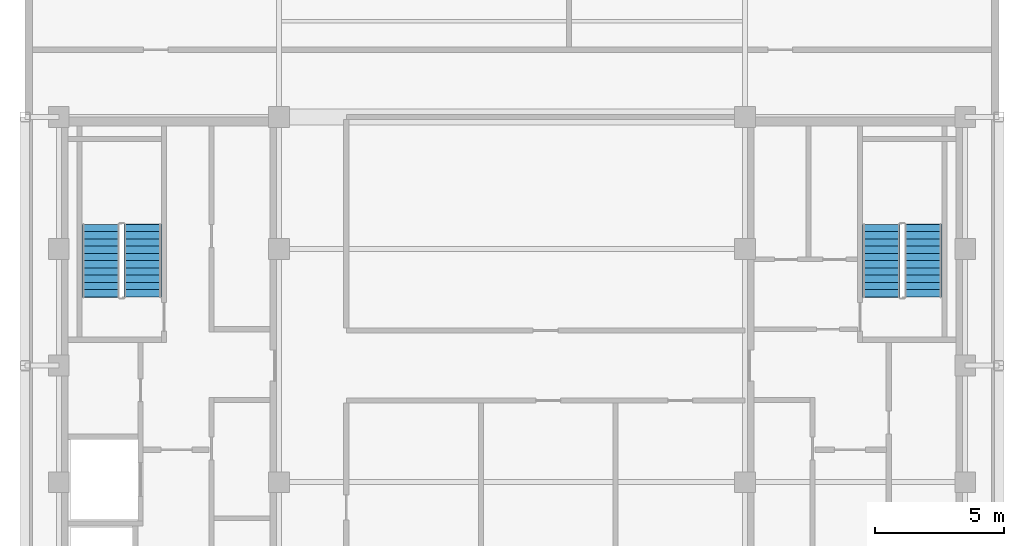
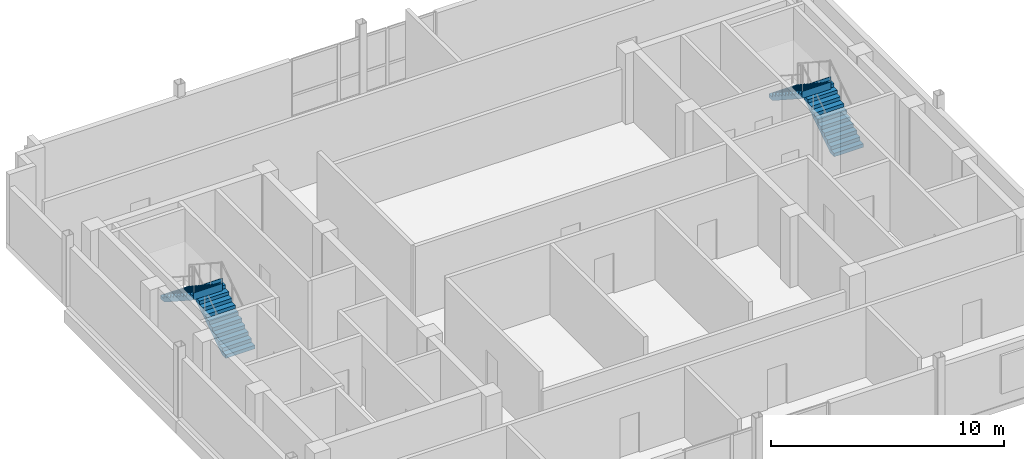
# One storey, part 4 of 10: 4 stair flights, 2 elements without a shape of their own.
"""IFC4 building model written with IfcOpenShell, lengths in metres."""

from ifc_helpers import new_model, si_unit, direction, frame, origin, place, context, subcontext, project, spatial, polyline, outline, extrude, material, type_object, element, aggregate, save


model = new_model("IFC4")

# Units and contexts
model_context = context("Model", 3, precision=1e-05, world=origin(), true_north=direction((0.0, 1.0)))
body_context = subcontext(model_context, "Body", "Model", "MODEL_VIEW")
ifc_project = project(units=[si_unit("LENGTHUNIT", "METRE"), si_unit("AREAUNIT", "SQUARE_METRE"), si_unit("VOLUMEUNIT", "CUBIC_METRE"), si_unit("PLANEANGLEUNIT", "RADIAN"), si_unit("MASSUNIT", "GRAM", prefix="KILO")], contexts=[model_context])

# Site, building, storey
site_placement = place(None, origin())
site = spatial("IfcSite", under=ifc_project, at=site_placement, CompositionType="ELEMENT")
building_placement = place(site_placement, origin())
building = spatial("IfcBuilding", under=site, at=building_placement, Name="Nuvemarco Arch Tower", CompositionType="ELEMENT")
storey_placement = place(building_placement, frame((0.0, 0.0, 303.14990234375)))
storey = spatial("IfcBuildingStorey", under=building, at=storey_placement, Name="L80", CompositionType="ELEMENT", Elevation=303.14990234375)

# Stair, stair flights
ifc_material = material(Name="Precast concrete C45/55", Category="concrete")
stair_type = type_object("IfcStairType", Name="ST-CORE-22R", PredefinedType="HALF_TURN_STAIR", material=ifc_material)
stair_1_placement = place(storey_placement, origin())
stair_1 = element("IfcStair", 1, at=stair_1_placement, inside=storey, type_object=stair_type, Name="L80 Protected Exit Stair ST-1", PredefinedType="HALF_TURN_STAIR")
stair_flight_type = type_object("IfcStairFlightType", Name="SF-CORE-22R", PredefinedType="STRAIGHT", material=ifc_material)
stair_flight_1_placement = place(storey_placement, frame((-14.264892578125, 2.64990234375, 0.0), z_axis=(0.0, 0.0, 1.0), x_axis=(0.0, 1.0, 0.0)))
stair_flight_1 = element("IfcStairFlight", 2, at=stair_flight_1_placement, type_object=stair_flight_type, Name="ST-22R flight 1", NumberOfRisers=11, NumberOfTreads=10, PredefinedType="STRAIGHT", RiserHeight=0.181818182, TreadLength=0.28, context=body_context, shape_type="SweptSolid", body=[
    extrude(outline(polyline([(0.0, 0.0), (0.0, 0.181884765625), (0.280029296875, 0.181884765625), (0.280029296875, 0.363525390625), (0.56005859375, 0.363525390625), (0.56005859375, 0.54541015625), (0.840087890625, 0.54541015625), (0.840087890625, 0.727294921875), (1.1201171875, 0.727294921875), (1.1201171875, 0.9091796875), (1.39990234375, 0.9091796875), (1.39990234375, 1.0908203125), (1.679931640625, 1.0908203125), (1.679931640625, 1.272705078125), (1.9599609375, 1.272705078125), (1.9599609375, 1.45458984375), (2.239990234375, 1.45458984375), (2.239990234375, 1.636474609375), (2.52001953125, 1.636474609375), (2.52001953125, 1.818115234375), (2.800048828125, 1.818115234375), (2.800048828125, 2.0), (2.820068359375, 2.0), (2.820068359375, 1.62744140625), (0.313720703125, 0.0), (0.0, 0.0)])), frame((0.0, 0.72509765625, 0.0), z_axis=(0.0, -1.0, 0.0), x_axis=(1.0, 0.0, 0.0)), (0.0, 0.0, 1.0), 1.449951171875),
])
stair_flight_2_placement = place(storey_placement, frame((-15.875, 5.449951171875, 2.0), z_axis=(0.0, 0.0, 1.0), x_axis=(0.0, -1.0, 0.0)))
stair_flight_2 = element("IfcStairFlight", 3, at=stair_flight_2_placement, type_object=stair_flight_type, Name="ST-22R flight 2", NumberOfRisers=11, NumberOfTreads=10, PredefinedType="STRAIGHT", RiserHeight=0.181818182, TreadLength=0.28, context=body_context, shape_type="SweptSolid", body=[
    extrude(outline(polyline([(0.0, 0.0), (0.0, 0.181884765625), (0.280029296875, 0.181884765625), (0.280029296875, 0.363525390625), (0.56005859375, 0.363525390625), (0.56005859375, 0.54541015625), (0.840087890625, 0.54541015625), (0.840087890625, 0.727294921875), (1.1201171875, 0.727294921875), (1.1201171875, 0.9091796875), (1.39990234375, 0.9091796875), (1.39990234375, 1.0908203125), (1.679931640625, 1.0908203125), (1.679931640625, 1.272705078125), (1.9599609375, 1.272705078125), (1.9599609375, 1.45458984375), (2.239990234375, 1.45458984375), (2.239990234375, 1.636474609375), (2.52001953125, 1.636474609375), (2.52001953125, 1.818115234375), (2.800048828125, 1.818115234375), (2.800048828125, 2.0), (2.820068359375, 2.0), (2.820068359375, 1.62744140625), (0.313720703125, 0.0), (0.0, 0.0)])), frame((0.0, 0.72509765625, 0.0), z_axis=(0.0, -1.0, 0.0), x_axis=(1.0, 0.0, 0.0)), (0.0, 0.0, 1.0), 1.449951171875),
])
aggregate(stair_1, [stair_flight_1, stair_flight_2])

stair_2_placement = place(storey_placement, origin())
stair_2 = element("IfcStair", 4, at=stair_2_placement, inside=storey, type_object=stair_type, Name="L80 Protected Exit Stair ST-2", PredefinedType="HALF_TURN_STAIR")
stair_flight_3_placement = place(storey_placement, frame((15.875, 2.64990234375, 0.0), z_axis=(0.0, 0.0, 1.0), x_axis=(0.0, 1.0, 0.0)))
stair_flight_3 = element("IfcStairFlight", 5, at=stair_flight_3_placement, type_object=stair_flight_type, Name="ST-22R flight 1", NumberOfRisers=11, NumberOfTreads=10, PredefinedType="STRAIGHT", RiserHeight=0.181818182, TreadLength=0.28, context=body_context, shape_type="SweptSolid", body=[
    extrude(outline(polyline([(0.0, 0.0), (0.0, 0.181884765625), (0.280029296875, 0.181884765625), (0.280029296875, 0.363525390625), (0.56005859375, 0.363525390625), (0.56005859375, 0.54541015625), (0.840087890625, 0.54541015625), (0.840087890625, 0.727294921875), (1.1201171875, 0.727294921875), (1.1201171875, 0.9091796875), (1.39990234375, 0.9091796875), (1.39990234375, 1.0908203125), (1.679931640625, 1.0908203125), (1.679931640625, 1.272705078125), (1.9599609375, 1.272705078125), (1.9599609375, 1.45458984375), (2.239990234375, 1.45458984375), (2.239990234375, 1.636474609375), (2.52001953125, 1.636474609375), (2.52001953125, 1.818115234375), (2.800048828125, 1.818115234375), (2.800048828125, 2.0), (2.820068359375, 2.0), (2.820068359375, 1.62744140625), (0.313720703125, 0.0), (0.0, 0.0)])), frame((0.0, 0.72509765625, 0.0), z_axis=(0.0, -1.0, 0.0), x_axis=(1.0, 0.0, 0.0)), (0.0, 0.0, 1.0), 1.449951171875),
])
stair_flight_4_placement = place(storey_placement, frame((14.264892578125, 5.449951171875, 2.0), z_axis=(0.0, 0.0, 1.0), x_axis=(0.0, -1.0, 0.0)))
stair_flight_4 = element("IfcStairFlight", 6, at=stair_flight_4_placement, type_object=stair_flight_type, Name="ST-22R flight 2", NumberOfRisers=11, NumberOfTreads=10, PredefinedType="STRAIGHT", RiserHeight=0.181818182, TreadLength=0.28, context=body_context, shape_type="SweptSolid", body=[
    extrude(outline(polyline([(0.0, 0.0), (0.0, 0.181884765625), (0.280029296875, 0.181884765625), (0.280029296875, 0.363525390625), (0.56005859375, 0.363525390625), (0.56005859375, 0.54541015625), (0.840087890625, 0.54541015625), (0.840087890625, 0.727294921875), (1.1201171875, 0.727294921875), (1.1201171875, 0.9091796875), (1.39990234375, 0.9091796875), (1.39990234375, 1.0908203125), (1.679931640625, 1.0908203125), (1.679931640625, 1.272705078125), (1.9599609375, 1.272705078125), (1.9599609375, 1.45458984375), (2.239990234375, 1.45458984375), (2.239990234375, 1.636474609375), (2.52001953125, 1.636474609375), (2.52001953125, 1.818115234375), (2.800048828125, 1.818115234375), (2.800048828125, 2.0), (2.820068359375, 2.0), (2.820068359375, 1.62744140625), (0.313720703125, 0.0), (0.0, 0.0)])), frame((0.0, 0.72509765625, 0.0), z_axis=(0.0, -1.0, 0.0), x_axis=(1.0, 0.0, 0.0)), (0.0, 0.0, 1.0), 1.449951171875),
])
aggregate(stair_2, [stair_flight_3, stair_flight_4])

save(model, "model.ifc")
